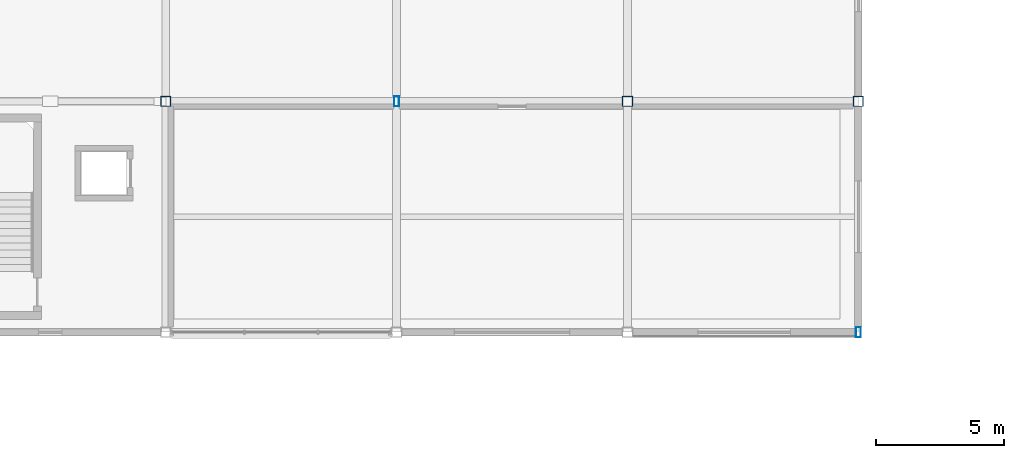
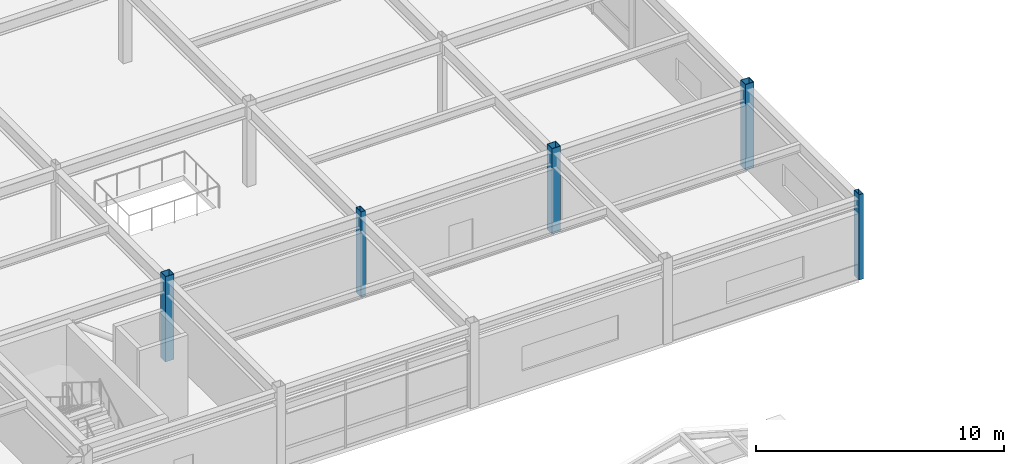
# One storey, part 14 of 108: 5 columns.
"""IFC4 building model written with IfcOpenShell, lengths in metres."""

from ifc_helpers import new_model, si_unit, direction, frame, origin, origin_2d, place, context, subcontext, project, spatial, hollow_rectangle, extrude, material, material_profile, profile_set, type_object, element, save


model = new_model("IFC4")

# Units and contexts
model_context = context("Model", 3, precision=1e-05, world=origin(), true_north=direction((0.0, 1.0)))
body_context = subcontext(model_context, "Body", "Model", "MODEL_VIEW")
ifc_project = project(units=[si_unit("LENGTHUNIT", "METRE"), si_unit("AREAUNIT", "SQUARE_METRE"), si_unit("VOLUMEUNIT", "CUBIC_METRE"), si_unit("PLANEANGLEUNIT", "RADIAN"), si_unit("MASSUNIT", "GRAM", prefix="KILO")], contexts=[model_context])

# Site, building, storey
site_placement = place(None, origin())
site = spatial("IfcSite", under=ifc_project, at=site_placement, CompositionType="ELEMENT")
building_placement = place(site_placement, origin())
building = spatial("IfcBuilding", under=site, at=building_placement, Name="Suzunagisa Mobility Hub", CompositionType="ELEMENT")
storey_placement = place(building_placement, frame((0.0, 0.0, 9.300048828125)))
storey = spatial("IfcBuildingStorey", under=building, at=storey_placement, Name="L02", CompositionType="ELEMENT", Elevation=9.300048828125)

# Columns
ifc_material = material(Name="Steel SN490B", Category="steel")
ifc_material_profile_1 = material_profile(ifc_material, hollow_rectangle(XDim=0.199951171875, YDim=0.39990234375, WallThickness=0.011962890625, at=origin_2d()), Name="RHS-400x200x12")
ifc_profile_set_1 = profile_set([ifc_material_profile_1], Name="Steel SN490B")
column_type_1 = type_object("IfcColumnType", Name="Steel Column CL-03 RHS-400x200x12", PredefinedType="COLUMN", material=ifc_profile_set_1)
for number, where, z_axis, x_axis, name in (
    (1, (108.0, 89.0, 0.0), (0.0, 0.0, 1.0), (1.0, 0.0, 0.0), "L02 Column 205"),
    (2, (126.0, 80.0, 0.0), (0.0, 0.0, 1.0), (1.0, 0.0, 0.0), "L02 Column 233"),
):
    element("IfcColumn", number, at=place(storey_placement, frame(where, z_axis=z_axis, x_axis=x_axis)), inside=storey, type_object=column_type_1, Name=name, PredefinedType="COLUMN", context=body_context, shape_type="SweptSolid", body=[
        extrude(hollow_rectangle(XDim=0.199951171875, YDim=0.39990234375, WallThickness=0.011962890625, at=origin_2d()), origin(), (0.0, 0.0, 1.0), 4.199951171875),
    ])
ifc_material_profile_2 = material_profile(ifc_material, hollow_rectangle(XDim=0.39990234375, YDim=0.39990234375, WallThickness=0.01904296875, at=origin_2d()), Name="BCR-400x400x19")
ifc_profile_set_2 = profile_set([ifc_material_profile_2], Name="Steel SN490B")
column_type_2 = type_object("IfcColumnType", Name="Steel Column CL-13 BCR-400x400x19", PredefinedType="COLUMN", material=ifc_profile_set_2)
for number, where, z_axis, x_axis, name in (
    (3, (99.0, 89.0, 0.0), (0.0, 0.0, 1.0), (1.0, 0.0, 0.0), "L02 Column 196"),
    (4, (117.0, 89.0, 0.0), (0.0, 0.0, 1.0), (1.0, 0.0, 0.0), "L02 Column 216"),
    (5, (126.0, 89.0, 0.0), (0.0, 0.0, 1.0), (1.0, 0.0, 0.0), "L02 Column 234"),
):
    element("IfcColumn", number, at=place(storey_placement, frame(where, z_axis=z_axis, x_axis=x_axis)), inside=storey, type_object=column_type_2, Name=name, PredefinedType="COLUMN", context=body_context, shape_type="SweptSolid", body=[
        extrude(hollow_rectangle(XDim=0.39990234375, YDim=0.39990234375, WallThickness=0.01904296875, at=origin_2d()), origin(), (0.0, 0.0, 1.0), 4.199951171875),
    ])

save(model, "model.ifc")
